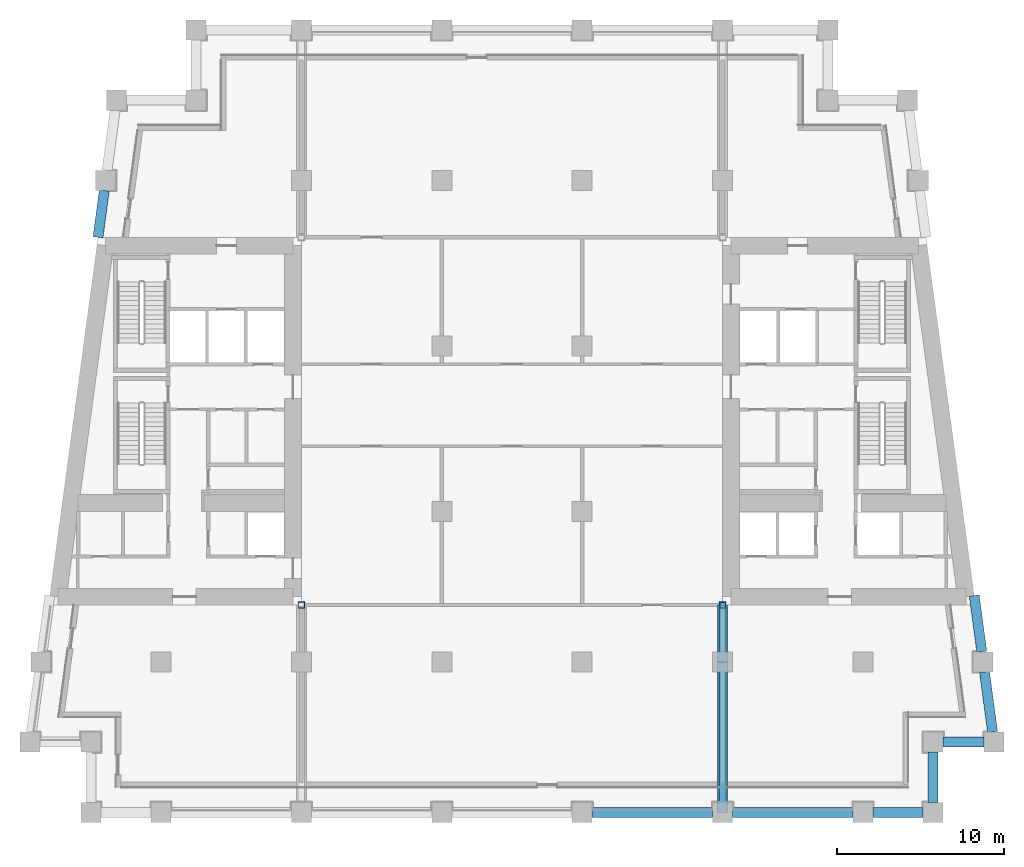
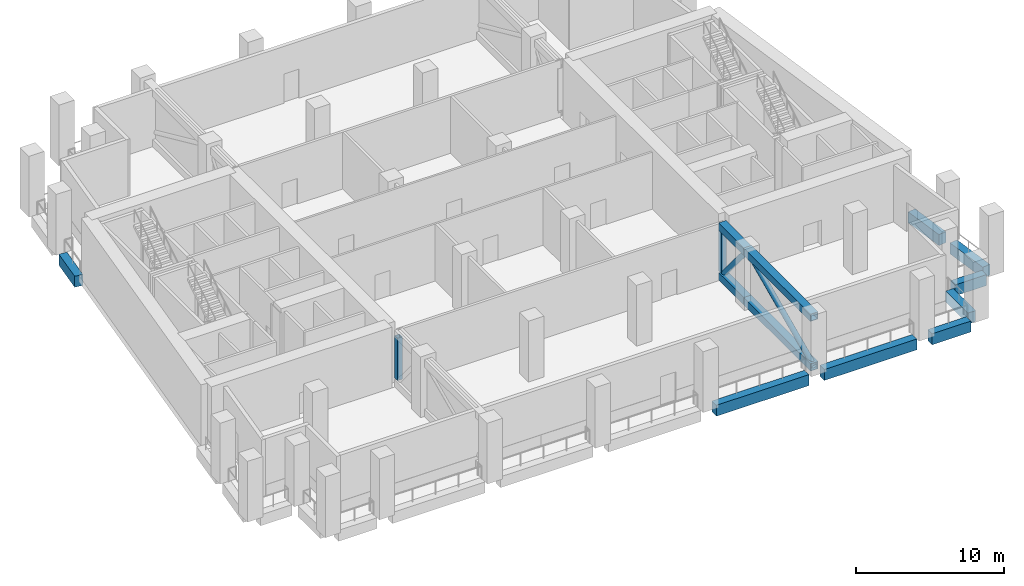
# One storey, part 2 of 11: 8 beams, 8 members.
"""IFC4 building model written with IfcOpenShell, lengths in metres."""

from ifc_helpers import new_model, si_unit, direction, frame, origin, origin_2d, place, context, subcontext, project, spatial, rectangle, hollow_rectangle, hollow_circle, extrude, material, material_profile, profile_set, type_object, element, save


model = new_model("IFC4")

# Units and contexts
model_context = context("Model", 3, precision=1e-05, world=origin(), true_north=direction((0.0, 1.0)))
body_context = subcontext(model_context, "Body", "Model", "MODEL_VIEW")
ifc_project = project(units=[si_unit("LENGTHUNIT", "METRE"), si_unit("AREAUNIT", "SQUARE_METRE"), si_unit("VOLUMEUNIT", "CUBIC_METRE"), si_unit("PLANEANGLEUNIT", "RADIAN"), si_unit("MASSUNIT", "GRAM", prefix="KILO")], contexts=[model_context])

# Site, building, storey
site_placement = place(None, origin())
site = spatial("IfcSite", under=ifc_project, at=site_placement, CompositionType="ELEMENT")
building_placement = place(site_placement, origin())
building = spatial("IfcBuilding", under=site, at=building_placement, Name="Candeia Pilgrim Tower and Theatre", CompositionType="ELEMENT")
storey_placement = place(building_placement, frame((0.0, 0.0, 142.800048828125)))
storey = spatial("IfcBuildingStorey", under=building, at=storey_placement, Name="L33", CompositionType="ELEMENT", Elevation=142.800048828125)

# Members
ifc_material_1 = material(Name="Structural steel ASTM A572 Grade 50", Category="steel")
ifc_material_profile_1 = material_profile(ifc_material_1, hollow_rectangle(XDim=0.39990234375, YDim=0.39990234375, WallThickness=0.02490234375, at=origin_2d()))
ifc_profile_set_1 = profile_set([ifc_material_profile_1], Name="Structural steel ASTM A572 Grade 50")
member_type_1 = type_object("IfcMemberType", Name="BOX 400x400x25 post", PredefinedType="POST", material=ifc_profile_set_1)
for number, where, z_axis, x_axis, name in (
    (1, (100.800048828125, 110.39990234375, 0.599853515625), (0.0, 0.0, 1.0), (1.0, 0.0, 0.0), "Outrigger truss post TO2SL33"),
    (2, (126.0, 110.39990234375, 0.599853515625), (0.0, 0.0, 1.0), (1.0, 0.0, 0.0), "Outrigger truss post TO5SL33"),
):
    element("IfcMember", number, at=place(storey_placement, frame(where, z_axis=z_axis, x_axis=x_axis)), inside=storey, type_object=member_type_1, Name=name, PredefinedType="POST", context=body_context, shape_type="SweptSolid", body=[
        extrude(hollow_rectangle(XDim=0.39990234375, YDim=0.39990234375, WallThickness=0.02490234375, at=origin_2d()), origin(), (0.0, 0.0, 1.0), 3.47998046875),
    ])
ifc_material_profile_2 = material_profile(ifc_material_1, hollow_rectangle(XDim=0.60009765625, YDim=0.60009765625, WallThickness=0.0400390625, at=origin_2d()))
ifc_profile_set_2 = profile_set([ifc_material_profile_2], Name="Structural steel ASTM A572 Grade 50")
member_type_2 = type_object("IfcMemberType", Name="BOX 600x600x40 chord", PredefinedType="CHORD", material=ifc_profile_set_2)
for number, where, z_axis, x_axis, name in (
    (3, (126.0, 110.39990234375, 0.300048828125), (0.0, -1.0, 0.0), (1.0, 0.0, 0.0), "Outrigger truss bottom chord TO5SL33"),
    (4, (126.0, 110.39990234375, 4.3798828125), (0.0, -1.0, 0.0), (1.0, 0.0, 0.0), "Outrigger truss top chord TO5SL33"),
):
    element("IfcMember", number, at=place(storey_placement, frame(where, z_axis=z_axis, x_axis=x_axis)), inside=storey, type_object=member_type_2, Name=name, PredefinedType="CHORD", context=body_context, shape_type="SweptSolid", body=[
        extrude(hollow_rectangle(XDim=0.60009765625, YDim=0.60009765625, WallThickness=0.0400390625, at=origin_2d()), origin(), (0.0, 0.0, 1.0), 3.39990234375),
    ])
for number, where, z_axis, x_axis, name in (
    (5, (126.0, 107.0, 0.300048828125), (0.0, -1.0, 0.0), (1.0, 0.0, 0.0), "Outrigger truss bottom chord TO5SL33"),
    (6, (126.0, 107.0, 4.3798828125), (0.0, -1.0, 0.0), (1.0, 0.0, 0.0), "Outrigger truss top chord TO5SL33"),
):
    element("IfcMember", number, at=place(storey_placement, frame(where, z_axis=z_axis, x_axis=x_axis)), inside=storey, type_object=member_type_2, Name=name, PredefinedType="CHORD", context=body_context, shape_type="SweptSolid", body=[
        extrude(hollow_rectangle(XDim=0.60009765625, YDim=0.60009765625, WallThickness=0.0400390625, at=origin_2d()), origin(), (0.0, 0.0, 1.0), 9.0),
    ])
ifc_material_profile_3 = material_profile(ifc_material_1, hollow_circle(Radius=0.203125, WallThickness=0.01611328125, at=origin_2d()))
ifc_profile_set_3 = profile_set([ifc_material_profile_3], Name="Structural steel ASTM A572 Grade 50")
member_type_3 = type_object("IfcMemberType", Name="CHS 406x16 brace", PredefinedType="BRACE", material=ifc_profile_set_3)
member_1_placement = place(storey_placement, frame((126.0, 110.39990234375, 0.300048828125), z_axis=(0.0, -0.640188921368, 0.768217511488), x_axis=(1.0, 0.0, 0.0)))
element("IfcMember", 7, at=member_1_placement, inside=storey, type_object=member_type_3, Name="Outrigger truss diagonal TO5SL33", PredefinedType="BRACE", context=body_context, shape_type="SweptSolid", body=[
    extrude(hollow_circle(Radius=0.203125, WallThickness=0.01611328125, at=origin_2d()), origin(), (0.0, 0.0, 1.0), 5.310791015625),
])
member_2_placement = place(storey_placement, frame((126.0, 98.0, 0.300048828125), z_axis=(0.0, 0.910788217597, 0.41287385808), x_axis=(-1.0, 0.0, 0.0)))
element("IfcMember", 8, at=member_2_placement, inside=storey, type_object=member_type_3, Name="Outrigger truss diagonal TO5SL33", PredefinedType="BRACE", context=body_context, shape_type="SweptSolid", body=[
    extrude(hollow_circle(Radius=0.203125, WallThickness=0.01611328125, at=origin_2d()), origin(), (0.0, 0.0, 1.0), 9.881591796875),
])

# Beams
ifc_material_2 = material(Name="Concrete C70/85", Category="concrete")
ifc_material_profile_4 = material_profile(ifc_material_2, rectangle(XDim=0.60009765625, YDim=0.89990234375, at=origin_2d()))
ifc_profile_set_4 = profile_set([ifc_material_profile_4], Name="Concrete C70/85")
beam_type = type_object("IfcBeamType", Name="RC 600x900 C70/85", PredefinedType="BEAM", material=ifc_profile_set_4)
for number, where, z_axis, x_axis, name in (
    (9, (118.199951171875, 98.0, -0.449951171875), (1.0, 0.0, 0.0), (0.0, 1.0, 0.0), "Spandrel beam L33-05"),
    (10, (126.60009765625, 98.0, -0.449951171875), (1.0, 0.0, 0.0), (0.0, 1.0, 0.0), "Spandrel beam L33-06"),
):
    element("IfcBeam", number, at=place(storey_placement, frame(where, z_axis=z_axis, x_axis=x_axis)), inside=storey, type_object=beam_type, Name=name, PredefinedType="BEAM", context=body_context, shape_type="SweptSolid", body=[
        extrude(rectangle(XDim=0.60009765625, YDim=0.89990234375, at=origin_2d()), origin(), (0.0, 0.0, 1.0), 7.199951171875),
    ])
for number, where, z_axis, x_axis, name in (
    (11, (135.0, 98.0, -0.449951171875), (1.0, 0.0, 0.0), (0.0, 1.0, 0.0), "Spandrel beam L33-07"),
    (12, (138.60009765625, 98.60009765625, -0.449951171875), (0.0, 1.0, 0.0), (-1.0, 0.0, 0.0), "Spandrel beam L33-08"),
):
    element("IfcBeam", number, at=place(storey_placement, frame(where, z_axis=z_axis, x_axis=x_axis)), inside=storey, type_object=beam_type, Name=name, PredefinedType="BEAM", context=body_context, shape_type="SweptSolid", body=[
        extrude(rectangle(XDim=0.60009765625, YDim=0.89990234375, at=origin_2d()), origin(), (0.0, 0.0, 1.0), 3.0),
    ])
beam_1_placement = place(storey_placement, frame((139.199951171875, 102.199951171875, -0.449951171875), z_axis=(1.0, 0.0, 0.0), x_axis=(0.0, 1.0, 0.0)))
element("IfcBeam", 13, at=beam_1_placement, inside=storey, type_object=beam_type, Name="Spandrel beam L33-09", PredefinedType="BEAM", context=body_context, shape_type="SweptSolid", body=[
    extrude(rectangle(XDim=0.60009765625, YDim=0.89990234375, at=origin_2d()), origin(), (0.0, 0.0, 1.0), 2.4345703125),
])
beam_2_placement = place(storey_placement, frame((142.15380859375, 102.800048828125, -0.449951171875), z_axis=(-0.133418359924, 0.991059807093, 0.0), x_axis=(-0.991059807093, -0.133418359924, 0.0)))
element("IfcBeam", 14, at=beam_2_placement, inside=storey, type_object=beam_type, Name="Spandrel beam L33-10", PredefinedType="BEAM", context=body_context, shape_type="SweptSolid", body=[
    extrude(rectangle(XDim=0.60009765625, YDim=0.89990234375, at=origin_2d()), origin(), (0.0, 0.0, 1.0), 3.63232421875),
])
beam_3_placement = place(storey_placement, frame((141.5078125, 107.60009765625, -0.449951171875), z_axis=(-0.133458165992, 0.99105444751, 0.0), x_axis=(-0.99105444751, -0.133458165992, 0.0)))
element("IfcBeam", 15, at=beam_3_placement, inside=storey, type_object=beam_type, Name="Spandrel beam L33-11", PredefinedType="BEAM", context=body_context, shape_type="SweptSolid", body=[
    extrude(rectangle(XDim=0.60009765625, YDim=0.89990234375, at=origin_2d()), origin(), (0.0, 0.0, 1.0), 3.39697265625),
])
beam_4_placement = place(storey_placement, frame((89.0078125, 135.199951171875, -0.449951171875), z_axis=(-0.133420173099, -0.991059562998, 0.0), x_axis=(0.991059562998, -0.133420173099, 0.0)))
element("IfcBeam", 16, at=beam_4_placement, inside=storey, type_object=beam_type, Name="Spandrel beam L33-24", PredefinedType="BEAM", context=body_context, shape_type="SweptSolid", body=[
    extrude(rectangle(XDim=0.60009765625, YDim=0.89990234375, at=origin_2d()), origin(), (0.0, 0.0, 1.0), 2.8251953125),
])

save(model, "model.ifc")
